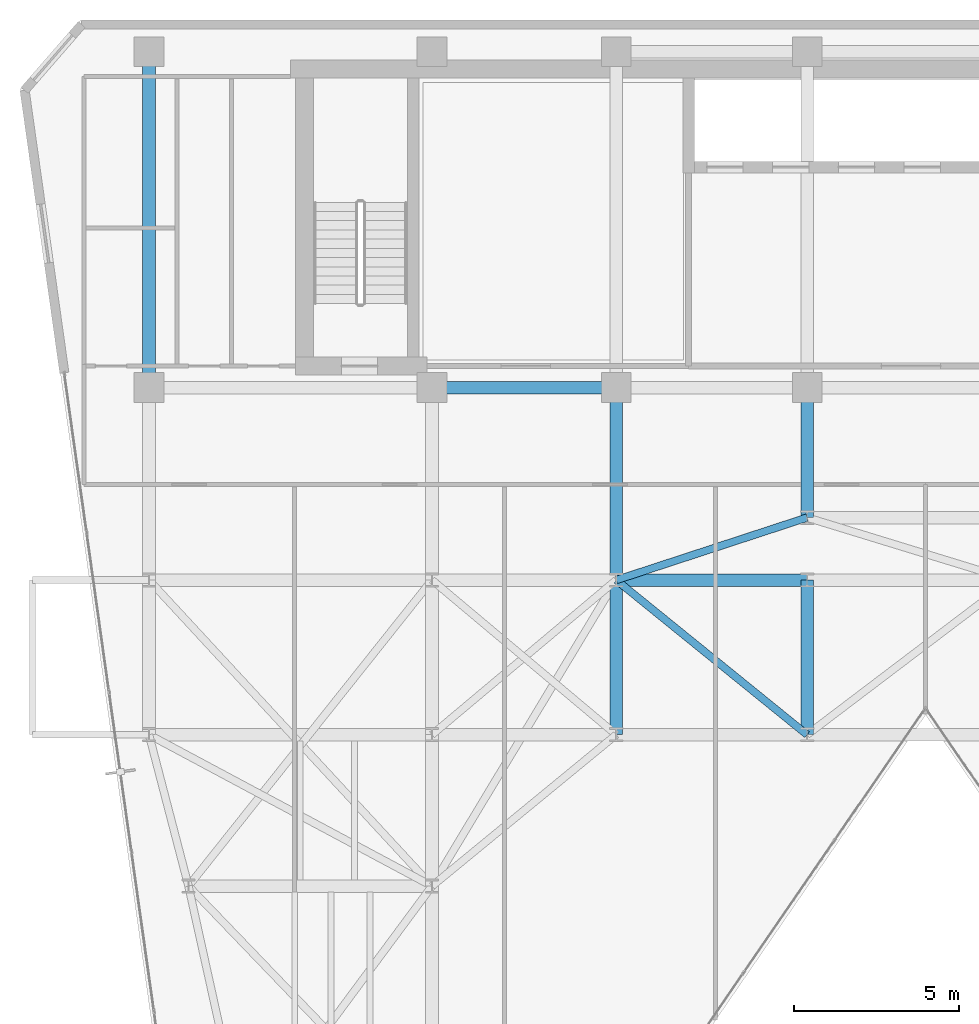
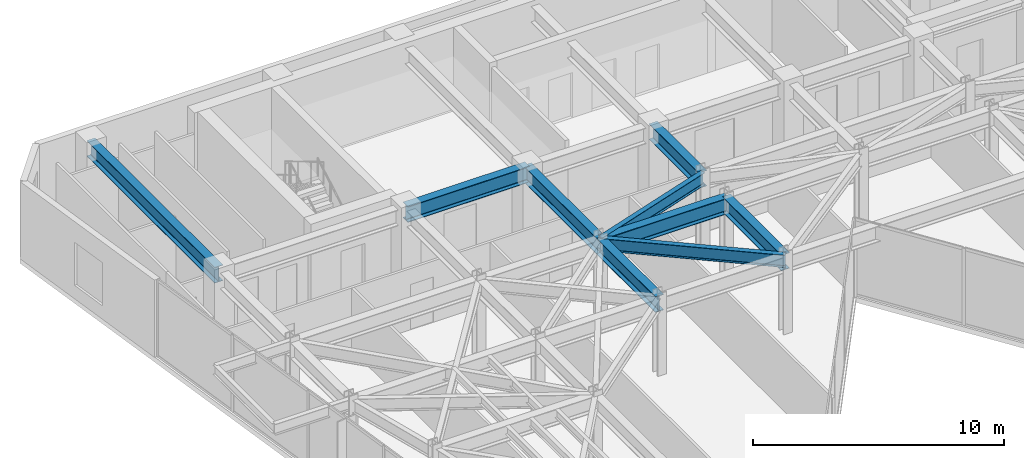
# One storey, part 13 of 26: 9 beams.
"""IFC4 building model written with IfcOpenShell, lengths in metres."""

from ifc_helpers import new_model, si_unit, direction, frame, origin, origin_2d, place, context, subcontext, project, spatial, i_section, extrude, material, material_profile, profile_set, type_object, element, save


model = new_model("IFC4")

# Units and contexts
model_context = context("Model", 3, precision=1e-05, world=origin(), true_north=direction((0.0, 1.0)))
body_context = subcontext(model_context, "Body", "Model", "MODEL_VIEW")
ifc_project = project(units=[si_unit("LENGTHUNIT", "METRE"), si_unit("AREAUNIT", "SQUARE_METRE"), si_unit("VOLUMEUNIT", "CUBIC_METRE"), si_unit("PLANEANGLEUNIT", "RADIAN"), si_unit("MASSUNIT", "GRAM", prefix="KILO")], contexts=[model_context])

# Site, building, storey
site_placement = place(None, origin())
site = spatial("IfcSite", under=ifc_project, at=site_placement, CompositionType="ELEMENT")
building_placement = place(site_placement, origin())
building = spatial("IfcBuilding", under=site, at=building_placement, Name="Kravanh Interchange Tower", CompositionType="ELEMENT")
storey_placement = place(building_placement, frame((0.0, 0.0, 180.5)))
storey = spatial("IfcBuildingStorey", under=building, at=storey_placement, Name="L43", CompositionType="ELEMENT", Elevation=180.5)

# Beams
ifc_material_1 = material(Name="Structural Steel S355", Category="steel")
ifc_material_profile_1 = material_profile(ifc_material_1, i_section(OverallWidth=0.381103515625, OverallDepth=0.77294921875, WebThickness=0.0166015625, FlangeThickness=0.027099609375, FilletRadius=0.02490234375, at=origin_2d()), Name="W30X173")
ifc_profile_set_1 = profile_set([ifc_material_profile_1], Name="Structural Steel S355")
beam_type_1 = type_object("IfcBeamType", Name="Floor Beam W30X173 Structural Steel S355", PredefinedType="BEAM", material=ifc_profile_set_1)
beam_1_placement = place(storey_placement, frame((38.60009765625, 37.35009765625, 3.368408203125), z_axis=(0.0, -1.0, 0.0), x_axis=(1.0, 0.0, 0.0)))
element("IfcBeam", 1, at=beam_1_placement, inside=storey, type_object=beam_type_1, Name="L43 Primary Floor Girder 16", PredefinedType="BEAM", context=body_context, shape_type="SweptSolid", body=[
    extrude(i_section(OverallWidth=0.381103515625, OverallDepth=0.77294921875, WebThickness=0.0166015625, FlangeThickness=0.027099609375, FilletRadius=0.02490234375, at=origin_2d()), origin(), (0.0, 0.0, 1.0), 3.9501953125),
])
beam_2_placement = place(storey_placement, frame((32.800048828125, 37.35009765625, 3.368408203125), z_axis=(-1.0, 0.0, 0.0), x_axis=(0.0, -1.0, 0.0)))
element("IfcBeam", 2, at=beam_2_placement, inside=storey, type_object=beam_type_1, Name="L43 Primary Floor Girder 20", PredefinedType="BEAM", context=body_context, shape_type="SweptSolid", body=[
    extrude(i_section(OverallWidth=0.381103515625, OverallDepth=0.77294921875, WebThickness=0.0166015625, FlangeThickness=0.027099609375, FilletRadius=0.02490234375, at=origin_2d()), origin(), (0.0, 0.0, 1.0), 5.60009765625),
])
beam_3_placement = place(storey_placement, frame((32.800048828125, 37.35009765625, 3.368408203125), z_axis=(0.0, -1.0, 0.0), x_axis=(1.0, 0.0, 0.0)))
element("IfcBeam", 3, at=beam_3_placement, inside=storey, type_object=beam_type_1, Name="L43 Primary Floor Girder 21", PredefinedType="BEAM", context=body_context, shape_type="SweptSolid", body=[
    extrude(i_section(OverallWidth=0.381103515625, OverallDepth=0.77294921875, WebThickness=0.0166015625, FlangeThickness=0.027099609375, FilletRadius=0.02490234375, at=origin_2d()), origin(), (0.0, 0.0, 1.0), 5.85009765625),
])
beam_4_placement = place(storey_placement, frame((18.60009765625, 37.35009765625, 3.368408203125), z_axis=(0.0, 1.0, 0.0), x_axis=(-1.0, 0.0, 0.0)))
element("IfcBeam", 4, at=beam_4_placement, inside=storey, type_object=beam_type_1, Name="L43 Primary Floor Girder 29", PredefinedType="BEAM", context=body_context, shape_type="SweptSolid", body=[
    extrude(i_section(OverallWidth=0.381103515625, OverallDepth=0.77294921875, WebThickness=0.0166015625, FlangeThickness=0.027099609375, FilletRadius=0.02490234375, at=origin_2d()), origin(), (0.0, 0.0, 1.0), 10.199951171875),
])
for number, where, z_axis, x_axis, name in (
    (5, (32.800048828125, 26.800048828125, 3.368408203125), (0.0, 1.0, 0.0), (-1.0, 0.0, 0.0), "L43 Primary Floor Girder 41"),
    (6, (38.60009765625, 26.800048828125, 3.368408203125), (0.0, 1.0, 0.0), (-1.0, 0.0, 0.0), "L43 Primary Floor Girder 45"),
):
    element("IfcBeam", number, at=place(storey_placement, frame(where, z_axis=z_axis, x_axis=x_axis)), inside=storey, type_object=beam_type_1, Name=name, PredefinedType="BEAM", context=body_context, shape_type="SweptSolid", body=[
        extrude(i_section(OverallWidth=0.381103515625, OverallDepth=0.77294921875, WebThickness=0.0166015625, FlangeThickness=0.027099609375, FilletRadius=0.02490234375, at=origin_2d()), origin(), (0.0, 0.0, 1.0), 4.699951171875),
    ])
beam_5_placement = place(storey_placement, frame((32.800048828125, 31.5, 3.368408203125), z_axis=(1.0, 0.0, 0.0), x_axis=(0.0, 1.0, 0.0)))
element("IfcBeam", 7, at=beam_5_placement, inside=storey, type_object=beam_type_1, Name="L43 Primary Floor Girder 67", PredefinedType="BEAM", context=body_context, shape_type="SweptSolid", body=[
    extrude(i_section(OverallWidth=0.381103515625, OverallDepth=0.77294921875, WebThickness=0.0166015625, FlangeThickness=0.027099609375, FilletRadius=0.02490234375, at=origin_2d()), origin(), (0.0, 0.0, 1.0), 5.800048828125),
])
ifc_material_2 = material(Name="Structural Steel S355", Category="steel")
ifc_material_profile_2 = material_profile(ifc_material_2, i_section(OverallWidth=0.22802734375, OverallDepth=0.60791015625, WebThickness=0.01123046875, FlangeThickness=0.017333984375, FilletRadius=0.02197265625, at=origin_2d()), Name="W24X76")
ifc_profile_set_2 = profile_set([ifc_material_profile_2], Name="Structural Steel S355")
beam_type_2 = type_object("IfcBeamType", Name="Floor Spandrel W24X76 Structural Steel S355", PredefinedType="SPANDREL", material=ifc_profile_set_2)
beam_6_placement = place(storey_placement, frame((38.60009765625, 26.800048828125, 3.450927734375), z_axis=(-0.776938619557, 0.629576350764, 0.0), x_axis=(-0.629576350764, -0.776938619557, 0.0)))
element("IfcBeam", 8, at=beam_6_placement, inside=storey, type_object=beam_type_2, Name="L43 Perimeter Spandrel 46", PredefinedType="SPANDREL", context=body_context, shape_type="SweptSolid", body=[
    extrude(i_section(OverallWidth=0.22802734375, OverallDepth=0.60791015625, WebThickness=0.01123046875, FlangeThickness=0.017333984375, FilletRadius=0.02197265625, at=origin_2d()), origin(), (0.0, 0.0, 1.0), 7.46533203125),
])
beam_7_placement = place(storey_placement, frame((32.800048828125, 31.5, 3.450927734375), z_axis=(0.950314536578, 0.31129131303, 0.0), x_axis=(-0.31129131303, 0.950314536578, 0.0)))
element("IfcBeam", 9, at=beam_7_placement, inside=storey, type_object=beam_type_2, Name="L43 Perimeter Spandrel 68", PredefinedType="SPANDREL", context=body_context, shape_type="SweptSolid", body=[
    extrude(i_section(OverallWidth=0.22802734375, OverallDepth=0.60791015625, WebThickness=0.01123046875, FlangeThickness=0.017333984375, FilletRadius=0.02197265625, at=origin_2d()), origin(), (0.0, 0.0, 1.0), 6.103271484375),
])

save(model, "model.ifc")
